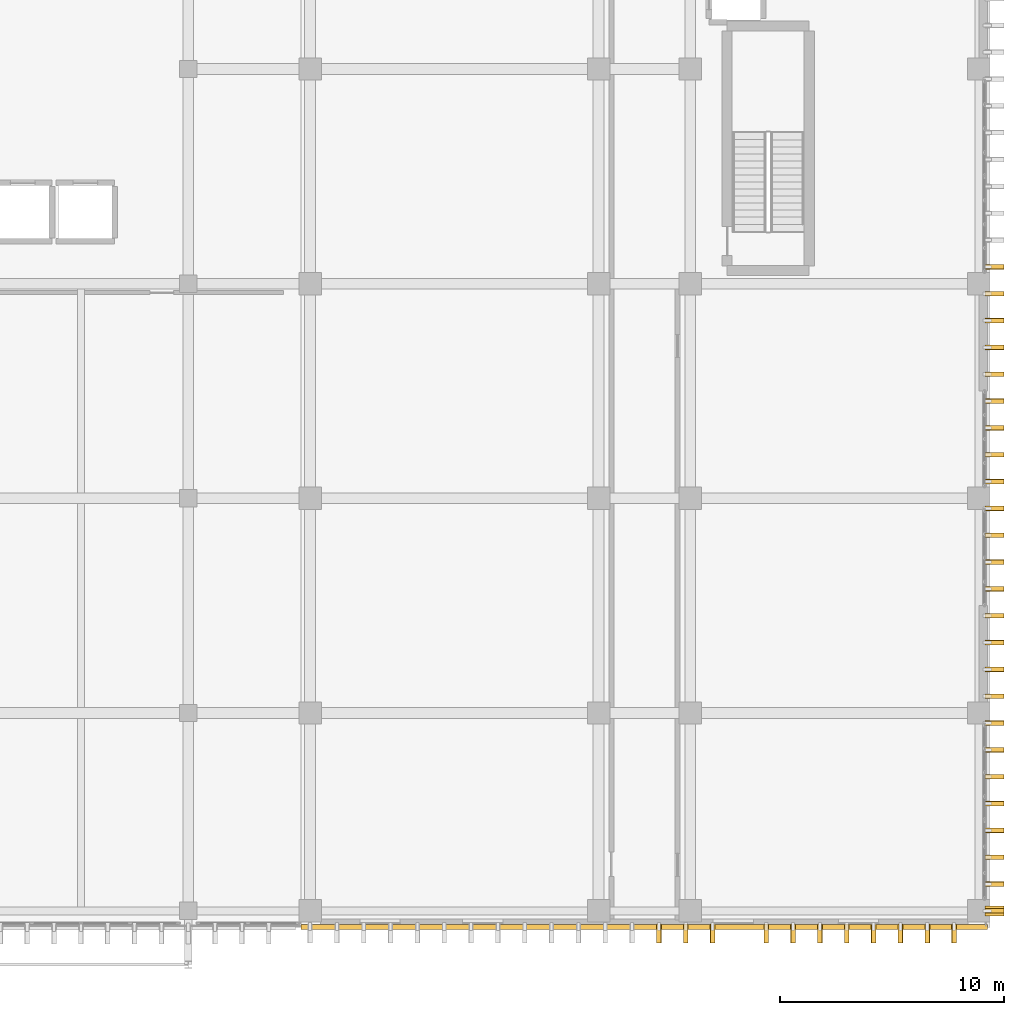
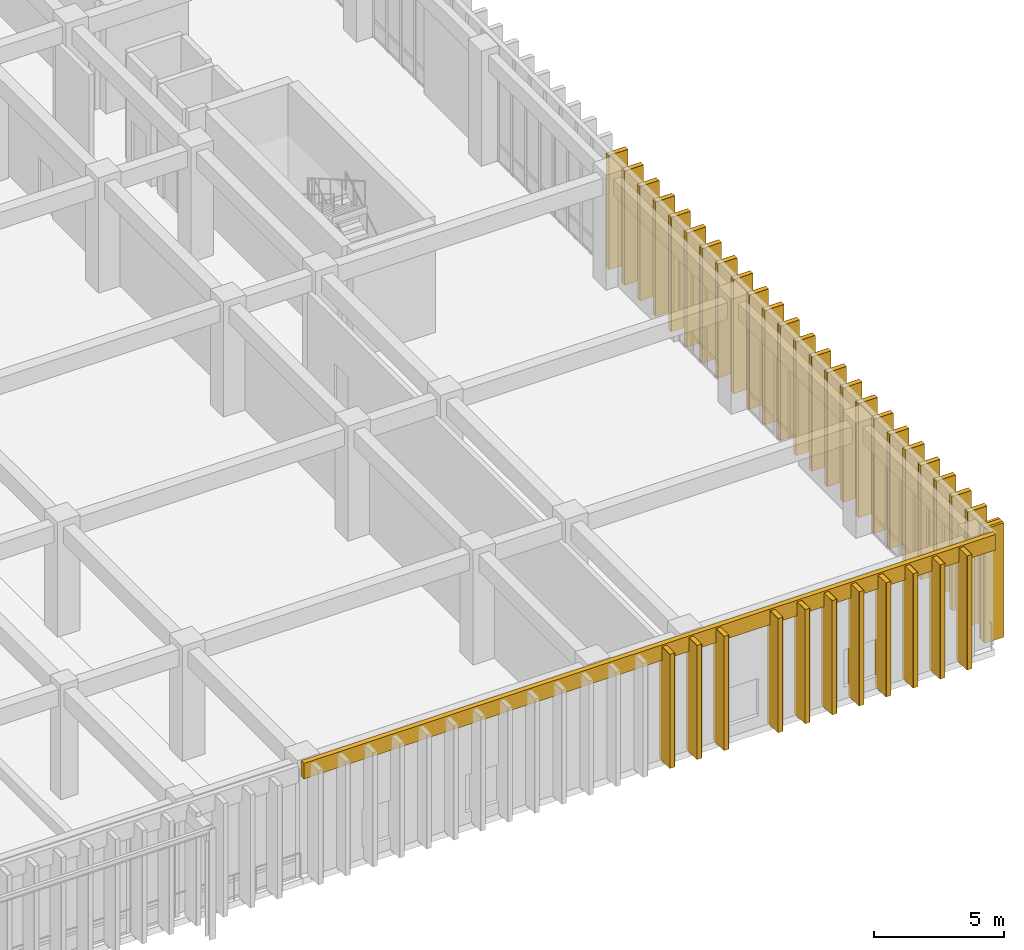
# One storey, part 127 of 134: 37 coverings, 36 shading devices.
"""IFC4 building model written with IfcOpenShell, lengths in metres."""

from ifc_helpers import new_model, si_unit, direction, frame, origin, origin_2d, place, context, subcontext, project, spatial, rectangle, extrude, material, layer, layer_set, type_object, element, save


model = new_model("IFC4")

# Units and contexts
model_context = context("Model", 3, precision=1e-05, world=origin(), true_north=direction((0.0, 1.0)))
body_context = subcontext(model_context, "Body", "Model", "MODEL_VIEW")
ifc_project = project(units=[si_unit("LENGTHUNIT", "METRE"), si_unit("AREAUNIT", "SQUARE_METRE"), si_unit("VOLUMEUNIT", "CUBIC_METRE"), si_unit("PLANEANGLEUNIT", "RADIAN"), si_unit("MASSUNIT", "GRAM", prefix="KILO")], contexts=[model_context])

# Site, building, storey
site_placement = place(None, origin())
site = spatial("IfcSite", under=ifc_project, at=site_placement, CompositionType="ELEMENT")
building_placement = place(site_placement, origin())
building = spatial("IfcBuilding", under=site, at=building_placement, Name="Nakhvara Creek Congress Hotel", CompositionType="ELEMENT")
storey_placement = place(building_placement, frame((0.0, 0.0, 6.0)))
storey = spatial("IfcBuildingStorey", under=building, at=storey_placement, Name="L01", CompositionType="ELEMENT", Elevation=6.0)

# Coverings
ifc_material_1 = material(Name="Honed pale Omani limestone architectural cladding", Category="masonry")
ifc_layer_1 = layer(ifc_material_1, 0.219970703125)
ifc_layer_set_1 = layer_set([ifc_layer_1], Name="Honed pale Omani limestone architectural cladding")
covering_type_1 = type_object("IfcCoveringType", Name="COV-FIN-850", PredefinedType="CLADDING", material=ifc_layer_set_1)
covering_1_placement = place(storey_placement, frame((180.054931640625, 0.75, 0.0), z_axis=(0.0, 0.0, 1.0), x_axis=(0.0, 1.0, 0.0)))
element("IfcCovering", 1, at=covering_1_placement, inside=storey, type_object=covering_type_1, Name="Pale Limestone Fin Cladding CF01-0677", PredefinedType="CLADDING", context=body_context, shape_type="SweptSolid", body=[
    extrude(rectangle(XDim=0.43994140625, YDim=0.85009765625, at=origin_2d()), origin(), (0.0, 0.0, 1.0), 5.360107421875),
])
for number, where, z_axis, x_axis, name in (
    (2, (180.054931640625, 1.949951171875, 0.0), (0.0, 0.0, 1.0), (0.0, 1.0, 0.0), "Pale Limestone Fin Cladding CF01-0678"),
    (3, (180.054931640625, 3.14990234375, 0.0), (0.0, 0.0, 1.0), (0.0, 1.0, 0.0), "Pale Limestone Fin Cladding CF01-0679"),
    (4, (180.054931640625, 4.35009765625, 0.0), (0.0, 0.0, 1.0), (0.0, 1.0, 0.0), "Pale Limestone Fin Cladding CF01-0680"),
    (5, (180.054931640625, 5.550048828125, 0.0), (0.0, 0.0, 1.0), (0.0, 1.0, 0.0), "Pale Limestone Fin Cladding CF01-0681"),
    (6, (180.054931640625, 6.75, 0.0), (0.0, 0.0, 1.0), (0.0, 1.0, 0.0), "Pale Limestone Fin Cladding CF01-0682"),
    (7, (180.054931640625, 7.949951171875, 0.0), (0.0, 0.0, 1.0), (0.0, 1.0, 0.0), "Pale Limestone Fin Cladding CF01-0683"),
    (8, (180.054931640625, 9.14990234375, 0.0), (0.0, 0.0, 1.0), (0.0, 1.0, 0.0), "Pale Limestone Fin Cladding CF01-0684"),
    (9, (180.054931640625, 10.35009765625, 0.0), (0.0, 0.0, 1.0), (0.0, 1.0, 0.0), "Pale Limestone Fin Cladding CF01-0685"),
    (10, (180.054931640625, 11.550048828125, 0.0), (0.0, 0.0, 1.0), (0.0, 1.0, 0.0), "Pale Limestone Fin Cladding CF01-0686"),
    (11, (180.054931640625, 12.75, 0.0), (0.0, 0.0, 1.0), (0.0, 1.0, 0.0), "Pale Limestone Fin Cladding CF01-0687"),
    (12, (180.054931640625, 13.949951171875, 0.0), (0.0, 0.0, 1.0), (0.0, 1.0, 0.0), "Pale Limestone Fin Cladding CF01-0688"),
    (13, (180.054931640625, 15.14990234375, 0.0), (0.0, 0.0, 1.0), (0.0, 1.0, 0.0), "Pale Limestone Fin Cladding CF01-0689"),
    (14, (180.054931640625, 16.35009765625, 0.0), (0.0, 0.0, 1.0), (0.0, 1.0, 0.0), "Pale Limestone Fin Cladding CF01-0690"),
    (15, (180.054931640625, 17.550048828125, 0.0), (0.0, 0.0, 1.0), (0.0, 1.0, 0.0), "Pale Limestone Fin Cladding CF01-0691"),
    (16, (180.054931640625, 18.75, 0.0), (0.0, 0.0, 1.0), (0.0, 1.0, 0.0), "Pale Limestone Fin Cladding CF01-0692"),
    (17, (180.054931640625, 19.949951171875, 0.0), (0.0, 0.0, 1.0), (0.0, 1.0, 0.0), "Pale Limestone Fin Cladding CF01-0693"),
    (18, (180.054931640625, 21.14990234375, 0.0), (0.0, 0.0, 1.0), (0.0, 1.0, 0.0), "Pale Limestone Fin Cladding CF01-0694"),
    (19, (180.054931640625, 22.35009765625, 0.0), (0.0, 0.0, 1.0), (0.0, 1.0, 0.0), "Pale Limestone Fin Cladding CF01-0695"),
    (20, (180.054931640625, 23.550048828125, 0.0), (0.0, 0.0, 1.0), (0.0, 1.0, 0.0), "Pale Limestone Fin Cladding CF01-0696"),
    (21, (180.054931640625, 24.75, 0.0), (0.0, 0.0, 1.0), (0.0, 1.0, 0.0), "Pale Limestone Fin Cladding CF01-0697"),
    (22, (180.054931640625, 25.949951171875, 0.0), (0.0, 0.0, 1.0), (0.0, 1.0, 0.0), "Pale Limestone Fin Cladding CF01-0698"),
    (23, (180.054931640625, 27.14990234375, 0.0), (0.0, 0.0, 1.0), (0.0, 1.0, 0.0), "Pale Limestone Fin Cladding CF01-0699"),
    (24, (180.054931640625, 28.35009765625, 0.0), (0.0, 0.0, 1.0), (0.0, 1.0, 0.0), "Pale Limestone Fin Cladding CF01-0700"),
    (25, (180.054931640625, 29.550048828125, 0.0), (0.0, 0.0, 1.0), (0.0, 1.0, 0.0), "Pale Limestone Fin Cladding CF01-0701"),
    (26, (165.050048828125, -0.264892578125, 0.0), (0.0, 0.0, 1.0), (1.0, 0.0, 0.0), "Pale Limestone Fin Cladding CF01-0832"),
    (27, (166.25, -0.264892578125, 0.0), (0.0, 0.0, 1.0), (1.0, 0.0, 0.0), "Pale Limestone Fin Cladding CF01-0834"),
    (28, (167.449951171875, -0.264892578125, 0.0), (0.0, 0.0, 1.0), (1.0, 0.0, 0.0), "Pale Limestone Fin Cladding CF01-0836"),
    (29, (169.85009765625, -0.264892578125, 0.0), (0.0, 0.0, 1.0), (1.0, 0.0, 0.0), "Pale Limestone Fin Cladding CF01-0839"),
    (30, (171.050048828125, -0.264892578125, 0.0), (0.0, 0.0, 1.0), (1.0, 0.0, 0.0), "Pale Limestone Fin Cladding CF01-0841"),
    (31, (172.25, -0.264892578125, 0.0), (0.0, 0.0, 1.0), (1.0, 0.0, 0.0), "Pale Limestone Fin Cladding CF01-0843"),
    (32, (173.449951171875, -0.264892578125, 0.0), (0.0, 0.0, 1.0), (1.0, 0.0, 0.0), "Pale Limestone Fin Cladding CF01-0845"),
    (33, (174.64990234375, -0.264892578125, 0.0), (0.0, 0.0, 1.0), (1.0, 0.0, 0.0), "Pale Limestone Fin Cladding CF01-0847"),
    (34, (175.85009765625, -0.264892578125, 0.0), (0.0, 0.0, 1.0), (1.0, 0.0, 0.0), "Pale Limestone Fin Cladding CF01-0848"),
    (35, (177.050048828125, -0.264892578125, 0.0), (0.0, 0.0, 1.0), (1.0, 0.0, 0.0), "Pale Limestone Fin Cladding CF01-0850"),
    (36, (178.25, -0.264892578125, 0.0), (0.0, 0.0, 1.0), (1.0, 0.0, 0.0), "Pale Limestone Fin Cladding CF01-0852"),
):
    element("IfcCovering", number, at=place(storey_placement, frame(where, z_axis=z_axis, x_axis=x_axis)), inside=storey, type_object=covering_type_1, Name=name, PredefinedType="CLADDING", context=body_context, shape_type="SweptSolid", body=[
        extrude(rectangle(XDim=0.219970703125, YDim=0.85009765625, at=origin_2d()), origin(), (0.0, 0.0, 1.0), 5.360107421875),
    ])
ifc_layer_2 = layer(ifc_material_1, 0.179931640625)
ifc_layer_set_2 = layer_set([ifc_layer_2], Name="Honed pale Omani limestone architectural cladding")
covering_type_2 = type_object("IfcCoveringType", Name="COV-SPN-180", PredefinedType="CLADDING", material=ifc_layer_set_2)
covering_2_placement = place(storey_placement, frame((164.39990234375, 0.030029296875, 4.7099609375), z_axis=(0.0, 0.0, 1.0), x_axis=(1.0, 0.0, 0.0)))
element("IfcCovering", 37, at=covering_2_placement, inside=storey, type_object=covering_type_2, Name="Pale Limestone Spandrel Band CF02-0048", PredefinedType="CLADDING", context=body_context, shape_type="SweptSolid", body=[
    extrude(rectangle(XDim=30.699951171875, YDim=0.219970703125, at=origin_2d()), origin(), (0.0, 0.0, 1.0), 0.72998046875),
])

# Shading devices
ifc_material_2 = material(Name="Honed pale Omani limestone cladding on stainless steel spine", Category="masonry")
shading_device_type = type_object("IfcShadingDeviceType", Name="SHD-FIN-850X4700", PredefinedType="USERDEFINED", material=ifc_material_2)
for number, where, z_axis, x_axis, name in (
    (38, (180.054931640625, 0.75, 0.0), (0.0, 0.0, 1.0), (0.0, 1.0, 0.0), "Limestone Solar Fin FN02-0542"),
    (39, (180.054931640625, 1.949951171875, 0.0), (0.0, 0.0, 1.0), (0.0, 1.0, 0.0), "Limestone Solar Fin FN02-0543"),
    (40, (180.054931640625, 3.14990234375, 0.0), (0.0, 0.0, 1.0), (0.0, 1.0, 0.0), "Limestone Solar Fin FN02-0544"),
    (41, (180.054931640625, 4.35009765625, 0.0), (0.0, 0.0, 1.0), (0.0, 1.0, 0.0), "Limestone Solar Fin FN02-0545"),
    (42, (180.054931640625, 5.550048828125, 0.0), (0.0, 0.0, 1.0), (0.0, 1.0, 0.0), "Limestone Solar Fin FN02-0546"),
    (43, (180.054931640625, 6.75, 0.0), (0.0, 0.0, 1.0), (0.0, 1.0, 0.0), "Limestone Solar Fin FN02-0547"),
    (44, (180.054931640625, 7.949951171875, 0.0), (0.0, 0.0, 1.0), (0.0, 1.0, 0.0), "Limestone Solar Fin FN02-0548"),
    (45, (180.054931640625, 9.14990234375, 0.0), (0.0, 0.0, 1.0), (0.0, 1.0, 0.0), "Limestone Solar Fin FN02-0549"),
    (46, (180.054931640625, 10.35009765625, 0.0), (0.0, 0.0, 1.0), (0.0, 1.0, 0.0), "Limestone Solar Fin FN02-0550"),
    (47, (180.054931640625, 11.550048828125, 0.0), (0.0, 0.0, 1.0), (0.0, 1.0, 0.0), "Limestone Solar Fin FN02-0551"),
    (48, (180.054931640625, 12.75, 0.0), (0.0, 0.0, 1.0), (0.0, 1.0, 0.0), "Limestone Solar Fin FN02-0552"),
    (49, (180.054931640625, 13.949951171875, 0.0), (0.0, 0.0, 1.0), (0.0, 1.0, 0.0), "Limestone Solar Fin FN02-0553"),
    (50, (180.054931640625, 15.14990234375, 0.0), (0.0, 0.0, 1.0), (0.0, 1.0, 0.0), "Limestone Solar Fin FN02-0554"),
    (51, (180.054931640625, 16.35009765625, 0.0), (0.0, 0.0, 1.0), (0.0, 1.0, 0.0), "Limestone Solar Fin FN02-0555"),
    (52, (180.054931640625, 17.550048828125, 0.0), (0.0, 0.0, 1.0), (0.0, 1.0, 0.0), "Limestone Solar Fin FN02-0556"),
    (53, (180.054931640625, 18.75, 0.0), (0.0, 0.0, 1.0), (0.0, 1.0, 0.0), "Limestone Solar Fin FN02-0557"),
    (54, (180.054931640625, 19.949951171875, 0.0), (0.0, 0.0, 1.0), (0.0, 1.0, 0.0), "Limestone Solar Fin FN02-0558"),
    (55, (180.054931640625, 21.14990234375, 0.0), (0.0, 0.0, 1.0), (0.0, 1.0, 0.0), "Limestone Solar Fin FN02-0559"),
    (56, (180.054931640625, 22.35009765625, 0.0), (0.0, 0.0, 1.0), (0.0, 1.0, 0.0), "Limestone Solar Fin FN02-0560"),
    (57, (180.054931640625, 23.550048828125, 0.0), (0.0, 0.0, 1.0), (0.0, 1.0, 0.0), "Limestone Solar Fin FN02-0561"),
    (58, (180.054931640625, 24.75, 0.0), (0.0, 0.0, 1.0), (0.0, 1.0, 0.0), "Limestone Solar Fin FN02-0562"),
    (59, (180.054931640625, 25.949951171875, 0.0), (0.0, 0.0, 1.0), (0.0, 1.0, 0.0), "Limestone Solar Fin FN02-0563"),
    (60, (180.054931640625, 27.14990234375, 0.0), (0.0, 0.0, 1.0), (0.0, 1.0, 0.0), "Limestone Solar Fin FN02-0564"),
    (61, (180.054931640625, 28.35009765625, 0.0), (0.0, 0.0, 1.0), (0.0, 1.0, 0.0), "Limestone Solar Fin FN02-0565"),
    (62, (180.054931640625, 29.550048828125, 0.0), (0.0, 0.0, 1.0), (0.0, 1.0, 0.0), "Limestone Solar Fin FN02-0566"),
    (63, (165.050048828125, -0.264892578125, 0.0), (0.0, 0.0, 1.0), (1.0, 0.0, 0.0), "Limestone Solar Fin FN02-0697"),
    (64, (166.25, -0.264892578125, 0.0), (0.0, 0.0, 1.0), (1.0, 0.0, 0.0), "Limestone Solar Fin FN02-0699"),
    (65, (167.449951171875, -0.264892578125, 0.0), (0.0, 0.0, 1.0), (1.0, 0.0, 0.0), "Limestone Solar Fin FN02-0701"),
    (66, (169.85009765625, -0.264892578125, 0.0), (0.0, 0.0, 1.0), (1.0, 0.0, 0.0), "Limestone Solar Fin FN02-0704"),
    (67, (171.050048828125, -0.264892578125, 0.0), (0.0, 0.0, 1.0), (1.0, 0.0, 0.0), "Limestone Solar Fin FN02-0706"),
    (68, (172.25, -0.264892578125, 0.0), (0.0, 0.0, 1.0), (1.0, 0.0, 0.0), "Limestone Solar Fin FN02-0708"),
    (69, (173.449951171875, -0.264892578125, 0.0), (0.0, 0.0, 1.0), (1.0, 0.0, 0.0), "Limestone Solar Fin FN02-0710"),
    (70, (174.64990234375, -0.264892578125, 0.0), (0.0, 0.0, 1.0), (1.0, 0.0, 0.0), "Limestone Solar Fin FN02-0712"),
    (71, (175.85009765625, -0.264892578125, 0.0), (0.0, 0.0, 1.0), (1.0, 0.0, 0.0), "Limestone Solar Fin FN02-0713"),
    (72, (177.050048828125, -0.264892578125, 0.0), (0.0, 0.0, 1.0), (1.0, 0.0, 0.0), "Limestone Solar Fin FN02-0715"),
    (73, (178.25, -0.264892578125, 0.0), (0.0, 0.0, 1.0), (1.0, 0.0, 0.0), "Limestone Solar Fin FN02-0717"),
):
    element("IfcShadingDevice", number, at=place(storey_placement, frame(where, z_axis=z_axis, x_axis=x_axis)), inside=storey, type_object=shading_device_type, Name=name, ObjectType="FIN", PredefinedType="USERDEFINED", context=body_context, shape_type="SweptSolid", body=[
        extrude(rectangle(XDim=0.199951171875, YDim=0.85009765625, at=origin_2d()), origin(), (0.0, 0.0, 1.0), 5.360107421875),
    ])

save(model, "model.ifc")
